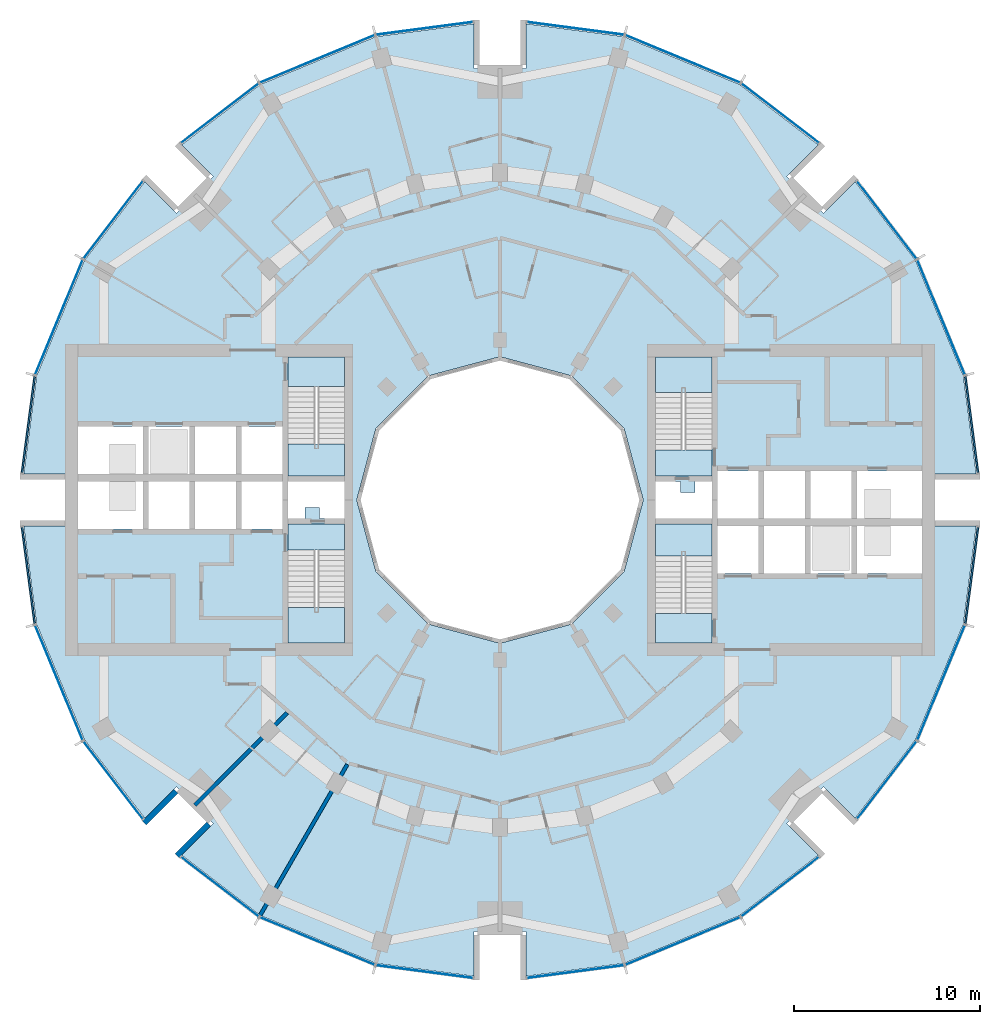
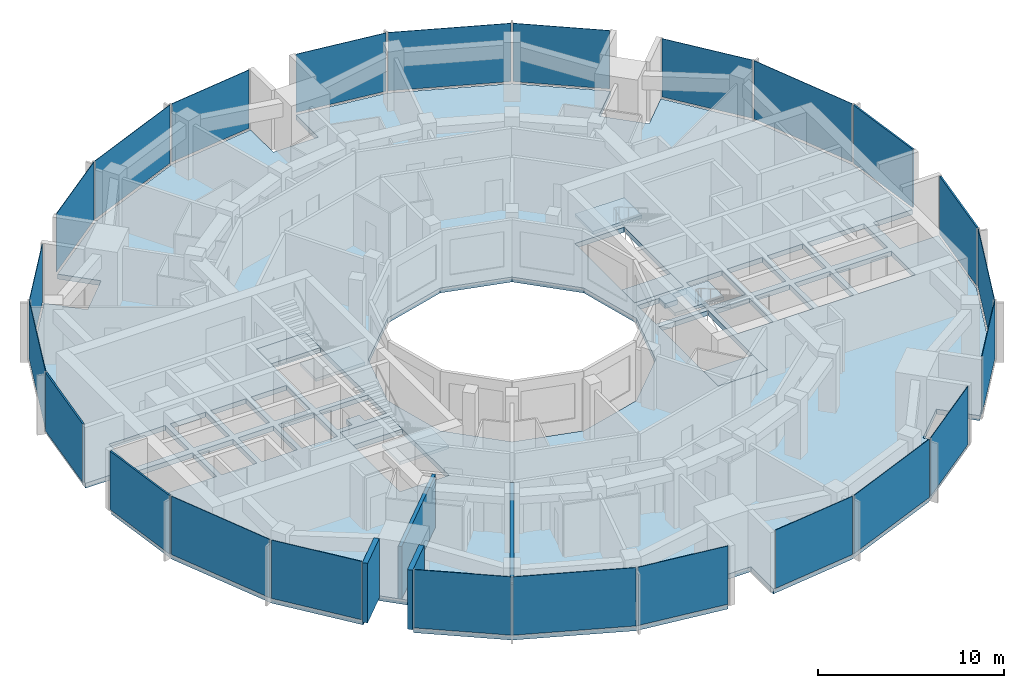
# One storey, part 7 of 15: 24 plates, 9 slabs, 4 walls, 28 elements without a shape of their own.
"""IFC4 building model written with IfcOpenShell, lengths in metres."""

from ifc_helpers import new_model, si_unit, direction, frame, frame_2d, origin, origin_2d, place, context, subcontext, project, spatial, polyline, rectangle, outline, extrude, material, layer, layer_set, type_object, element, aggregate, save


model = new_model("IFC4")

# Units and contexts
model_context = context("Model", 3, precision=1e-05, world=origin(), true_north=direction((0.0, 1.0)))
body_context = subcontext(model_context, "Body", "Model", "MODEL_VIEW")
ifc_project = project(units=[si_unit("LENGTHUNIT", "METRE"), si_unit("AREAUNIT", "SQUARE_METRE"), si_unit("VOLUMEUNIT", "CUBIC_METRE"), si_unit("PLANEANGLEUNIT", "RADIAN"), si_unit("MASSUNIT", "GRAM", prefix="KILO")], contexts=[model_context])

# Site, building, storey
site_placement = place(None, origin())
site = spatial("IfcSite", under=ifc_project, at=site_placement, CompositionType="ELEMENT")
building_placement = place(site_placement, origin())
building = spatial("IfcBuilding", under=site, at=building_placement, Name="Torre Brocal", CompositionType="ELEMENT")
storey_placement = place(building_placement, frame((0.0, 0.0, 138.0)))
storey = spatial("IfcBuildingStorey", under=building, at=storey_placement, Name="L32", CompositionType="ELEMENT", Elevation=138.0)

# Curtain wall, plate
ifc_material_1 = material(Name="Aluminium and glass", Category="aluminium")
ifc_layer_1 = layer(ifc_material_1, 0.199951171875)
ifc_layer_set_1 = layer_set([ifc_layer_1], Name="Aluminium and glass")
curtain_wall_type_1 = type_object("IfcCurtainWallType", Name="CW-1 CURTAIN WALL 3900 HIGH", PredefinedType="NOTDEFINED", material=ifc_layer_set_1)
curtain_wall_1_placement = place(storey_placement, origin())
curtain_wall_1 = element("IfcCurtainWall", 1, at=curtain_wall_1_placement, inside=storey, type_object=curtain_wall_type_1, Name="CW-1 RUN 2", PredefinedType="NOTDEFINED")
ifc_material_2 = material(Name="Glass, dark tinted laminated", Category="glass")
ifc_layer_2 = layer(ifc_material_2, 0.031982421875)
ifc_layer_set_2 = layer_set([ifc_layer_2], Name="Glass, dark tinted laminated")
plate_type_1 = type_object("IfcPlateType", Name="CW-1 GLASS PANEL 32", PredefinedType="CURTAIN_PANEL", material=ifc_layer_set_2)
plate_1_placement = place(storey_placement, frame((103.722900390625, 84.826416015625, 0.080078125), z_axis=(0.0, 0.0, 1.0), x_axis=(-0.382683432333, 0.923879532525, 0.0)))
plate_1 = element("IfcPlate", 2, at=plate_1_placement, type_object=plate_type_1, Name="CW1-3 panel 1.1", PredefinedType="CURTAIN_PANEL", context=body_context, shape_type="SweptSolid", body=[
    extrude(rectangle(XDim=6.64111328125, YDim=0.031982421875, at=origin_2d()), origin(), (0.0, 0.0, 1.0), 3.820068359375),
])
aggregate(curtain_wall_1, [plate_1])

curtain_wall_2_placement = place(storey_placement, origin())
curtain_wall_2 = element("IfcCurtainWall", 3, at=curtain_wall_2_placement, inside=storey, type_object=curtain_wall_type_1, Name="CW-1 RUN 3", PredefinedType="NOTDEFINED")
plate_2_placement = place(storey_placement, frame((100.80126953125, 90.0712890625, 0.080078125), z_axis=(0.0, 0.0, 1.0), x_axis=(-0.60876142905, 0.793353340259, 0.0)))
plate_2 = element("IfcPlate", 4, at=plate_2_placement, type_object=plate_type_1, Name="CW1-3 panel 1.1", PredefinedType="CURTAIN_PANEL", context=body_context, shape_type="SweptSolid", body=[
    extrude(rectangle(XDim=5.22900390625, YDim=0.031982421875, at=origin_2d()), origin(), (0.0, 0.0, 1.0), 3.820068359375),
])
aggregate(curtain_wall_2, [plate_2])

curtain_wall_3_placement = place(storey_placement, origin())
curtain_wall_3 = element("IfcCurtainWall", 5, at=curtain_wall_3_placement, inside=storey, type_object=curtain_wall_type_1, Name="CW-1 RUN 4", PredefinedType="NOTDEFINED")
plate_3_placement = place(storey_placement, frame((95.0712890625, 95.80126953125, 0.080078125), z_axis=(0.0, 0.0, 1.0), x_axis=(-0.793353340259, 0.60876142905, 0.0)))
plate_3 = element("IfcPlate", 6, at=plate_3_placement, type_object=plate_type_1, Name="CW1-3 panel 1.1", PredefinedType="CURTAIN_PANEL", context=body_context, shape_type="SweptSolid", body=[
    extrude(rectangle(XDim=5.22900390625, YDim=0.031982421875, at=origin_2d()), origin(), (0.0, 0.0, 1.0), 3.820068359375),
])
aggregate(curtain_wall_3, [plate_3])

curtain_wall_4_placement = place(storey_placement, origin())
curtain_wall_4 = element("IfcCurtainWall", 7, at=curtain_wall_4_placement, inside=storey, type_object=curtain_wall_type_1, Name="CW-1 RUN 5", PredefinedType="NOTDEFINED")
plate_4_placement = place(storey_placement, frame((89.826416015625, 98.722900390625, 0.080078125), z_axis=(0.0, 0.0, 1.0), x_axis=(-0.923879532525, 0.382683432333, 0.0)))
plate_4 = element("IfcPlate", 8, at=plate_4_placement, type_object=plate_type_1, Name="CW1-3 panel 1.1", PredefinedType="CURTAIN_PANEL", context=body_context, shape_type="SweptSolid", body=[
    extrude(rectangle(XDim=6.64111328125, YDim=0.031982421875, at=origin_2d()), origin(), (0.0, 0.0, 1.0), 3.820068359375),
])
aggregate(curtain_wall_4, [plate_4])

curtain_wall_5_placement = place(storey_placement, origin())
curtain_wall_5 = element("IfcCurtainWall", 9, at=curtain_wall_5_placement, inside=storey, type_object=curtain_wall_type_1, Name="CW-1 RUN 6", PredefinedType="NOTDEFINED")
plate_5_placement = place(storey_placement, frame((84.051513671875, 100.36572265625, 0.080078125), z_axis=(0.0, 0.0, 1.0), x_axis=(-0.991444861374, 0.13052619222, 0.0)))
plate_5 = element("IfcPlate", 10, at=plate_5_placement, type_object=plate_type_1, Name="CW1-3 panel 1.1", PredefinedType="CURTAIN_PANEL", context=body_context, shape_type="SweptSolid", body=[
    extrude(rectangle(XDim=5.22900390625, YDim=0.031982421875, at=origin_2d()), origin(), (0.0, 0.0, 1.0), 3.820068359375),
])
aggregate(curtain_wall_5, [plate_5])

curtain_wall_6_placement = place(storey_placement, origin())
curtain_wall_6 = element("IfcCurtainWall", 11, at=curtain_wall_6_placement, inside=storey, type_object=curtain_wall_type_1, Name="CW-1 RUN 7", PredefinedType="NOTDEFINED")
plate_6_placement = place(storey_placement, frame((75.948486328125, 100.36572265625, 0.080078125), z_axis=(0.0, 0.0, 1.0), x_axis=(-0.991444861374, -0.13052619222, 0.0)))
plate_6 = element("IfcPlate", 12, at=plate_6_placement, type_object=plate_type_1, Name="CW1-3 panel 1.1", PredefinedType="CURTAIN_PANEL", context=body_context, shape_type="SweptSolid", body=[
    extrude(rectangle(XDim=5.22900390625, YDim=0.031982421875, at=origin_2d()), origin(), (0.0, 0.0, 1.0), 3.820068359375),
])
aggregate(curtain_wall_6, [plate_6])

curtain_wall_7_placement = place(storey_placement, origin())
curtain_wall_7 = element("IfcCurtainWall", 13, at=curtain_wall_7_placement, inside=storey, type_object=curtain_wall_type_1, Name="CW-1 RUN 8", PredefinedType="NOTDEFINED")
plate_7_placement = place(storey_placement, frame((70.173583984375, 98.722900390625, 0.080078125), z_axis=(0.0, 0.0, 1.0), x_axis=(-0.923879532525, -0.382683432333, 0.0)))
plate_7 = element("IfcPlate", 14, at=plate_7_placement, type_object=plate_type_1, Name="CW1-3 panel 1.1", PredefinedType="CURTAIN_PANEL", context=body_context, shape_type="SweptSolid", body=[
    extrude(rectangle(XDim=6.64111328125, YDim=0.031982421875, at=origin_2d()), origin(), (0.0, 0.0, 1.0), 3.820068359375),
])
aggregate(curtain_wall_7, [plate_7])

curtain_wall_8_placement = place(storey_placement, origin())
curtain_wall_8 = element("IfcCurtainWall", 15, at=curtain_wall_8_placement, inside=storey, type_object=curtain_wall_type_1, Name="CW-1 RUN 9", PredefinedType="NOTDEFINED")
plate_8_placement = place(storey_placement, frame((64.9287109375, 95.80126953125, 0.080078125), z_axis=(0.0, 0.0, 1.0), x_axis=(-0.793353340259, -0.60876142905, 0.0)))
plate_8 = element("IfcPlate", 16, at=plate_8_placement, type_object=plate_type_1, Name="CW1-3 panel 1.1", PredefinedType="CURTAIN_PANEL", context=body_context, shape_type="SweptSolid", body=[
    extrude(rectangle(XDim=5.22900390625, YDim=0.031982421875, at=origin_2d()), origin(), (0.0, 0.0, 1.0), 3.820068359375),
])
aggregate(curtain_wall_8, [plate_8])

curtain_wall_9_placement = place(storey_placement, origin())
curtain_wall_9 = element("IfcCurtainWall", 17, at=curtain_wall_9_placement, inside=storey, type_object=curtain_wall_type_1, Name="CW-1 RUN 10", PredefinedType="NOTDEFINED")
plate_9_placement = place(storey_placement, frame((59.19873046875, 90.0712890625, 0.080078125), z_axis=(0.0, 0.0, 1.0), x_axis=(-0.60876142905, -0.793353340259, 0.0)))
plate_9 = element("IfcPlate", 18, at=plate_9_placement, type_object=plate_type_1, Name="CW1-3 panel 1.1", PredefinedType="CURTAIN_PANEL", context=body_context, shape_type="SweptSolid", body=[
    extrude(rectangle(XDim=5.22900390625, YDim=0.031982421875, at=origin_2d()), origin(), (0.0, 0.0, 1.0), 3.820068359375),
])
aggregate(curtain_wall_9, [plate_9])

curtain_wall_10_placement = place(storey_placement, origin())
curtain_wall_10 = element("IfcCurtainWall", 19, at=curtain_wall_10_placement, inside=storey, type_object=curtain_wall_type_1, Name="CW-1 RUN 11", PredefinedType="NOTDEFINED")
plate_10_placement = place(storey_placement, frame((56.277099609375, 84.826416015625, 0.080078125), z_axis=(0.0, 0.0, 1.0), x_axis=(-0.382683432333, -0.923879532525, 0.0)))
plate_10 = element("IfcPlate", 20, at=plate_10_placement, type_object=plate_type_1, Name="CW1-3 panel 1.1", PredefinedType="CURTAIN_PANEL", context=body_context, shape_type="SweptSolid", body=[
    extrude(rectangle(XDim=6.64111328125, YDim=0.031982421875, at=origin_2d()), origin(), (0.0, 0.0, 1.0), 3.820068359375),
])
aggregate(curtain_wall_10, [plate_10])

curtain_wall_11_placement = place(storey_placement, origin())
curtain_wall_11 = element("IfcCurtainWall", 21, at=curtain_wall_11_placement, inside=storey, type_object=curtain_wall_type_1, Name="CW-1 RUN 14", PredefinedType="NOTDEFINED")
plate_11_placement = place(storey_placement, frame((56.277099609375, 65.173583984375, 0.080078125), z_axis=(0.0, 0.0, 1.0), x_axis=(0.382683432333, -0.923879532525, 0.0)))
plate_11 = element("IfcPlate", 22, at=plate_11_placement, type_object=plate_type_1, Name="CW1-3 panel 1.1", PredefinedType="CURTAIN_PANEL", context=body_context, shape_type="SweptSolid", body=[
    extrude(rectangle(XDim=6.64111328125, YDim=0.031982421875, at=origin_2d()), origin(), (0.0, 0.0, 1.0), 3.820068359375),
])
aggregate(curtain_wall_11, [plate_11])

curtain_wall_12_placement = place(storey_placement, origin())
curtain_wall_12 = element("IfcCurtainWall", 23, at=curtain_wall_12_placement, inside=storey, type_object=curtain_wall_type_1, Name="CW-1 RUN 15", PredefinedType="NOTDEFINED")
plate_12_placement = place(storey_placement, frame((59.19873046875, 59.9287109375, 0.080078125), z_axis=(0.0, 0.0, 1.0), x_axis=(0.60876142905, -0.793353340259, 0.0)))
plate_12 = element("IfcPlate", 24, at=plate_12_placement, type_object=plate_type_1, Name="CW1-3 panel 1.1", PredefinedType="CURTAIN_PANEL", context=body_context, shape_type="SweptSolid", body=[
    extrude(rectangle(XDim=5.22900390625, YDim=0.031982421875, at=origin_2d()), origin(), (0.0, 0.0, 1.0), 3.820068359375),
])
aggregate(curtain_wall_12, [plate_12])

curtain_wall_13_placement = place(storey_placement, origin())
curtain_wall_13 = element("IfcCurtainWall", 25, at=curtain_wall_13_placement, inside=storey, type_object=curtain_wall_type_1, Name="CW-1 RUN 16", PredefinedType="NOTDEFINED")
plate_13_placement = place(storey_placement, frame((64.9287109375, 54.19873046875, 0.080078125), z_axis=(0.0, 0.0, 1.0), x_axis=(0.793353340259, -0.60876142905, 0.0)))
plate_13 = element("IfcPlate", 26, at=plate_13_placement, type_object=plate_type_1, Name="CW1-3 panel 1.1", PredefinedType="CURTAIN_PANEL", context=body_context, shape_type="SweptSolid", body=[
    extrude(rectangle(XDim=5.22900390625, YDim=0.031982421875, at=origin_2d()), origin(), (0.0, 0.0, 1.0), 3.820068359375),
])
aggregate(curtain_wall_13, [plate_13])

curtain_wall_14_placement = place(storey_placement, origin())
curtain_wall_14 = element("IfcCurtainWall", 27, at=curtain_wall_14_placement, inside=storey, type_object=curtain_wall_type_1, Name="CW-1 RUN 17", PredefinedType="NOTDEFINED")
plate_14_placement = place(storey_placement, frame((70.173583984375, 51.277099609375, 0.080078125), z_axis=(0.0, 0.0, 1.0), x_axis=(0.923879532525, -0.382683432333, 0.0)))
plate_14 = element("IfcPlate", 28, at=plate_14_placement, type_object=plate_type_1, Name="CW1-3 panel 1.1", PredefinedType="CURTAIN_PANEL", context=body_context, shape_type="SweptSolid", body=[
    extrude(rectangle(XDim=6.64111328125, YDim=0.031982421875, at=origin_2d()), origin(), (0.0, 0.0, 1.0), 3.820068359375),
])
aggregate(curtain_wall_14, [plate_14])

curtain_wall_15_placement = place(storey_placement, origin())
curtain_wall_15 = element("IfcCurtainWall", 29, at=curtain_wall_15_placement, inside=storey, type_object=curtain_wall_type_1, Name="CW-1 RUN 18", PredefinedType="NOTDEFINED")
plate_15_placement = place(storey_placement, frame((75.948486328125, 49.63427734375, 0.080078125), z_axis=(0.0, 0.0, 1.0), x_axis=(0.991444861374, -0.13052619222, 0.0)))
plate_15 = element("IfcPlate", 30, at=plate_15_placement, type_object=plate_type_1, Name="CW1-3 panel 1.1", PredefinedType="CURTAIN_PANEL", context=body_context, shape_type="SweptSolid", body=[
    extrude(rectangle(XDim=5.22900390625, YDim=0.031982421875, at=origin_2d()), origin(), (0.0, 0.0, 1.0), 3.820068359375),
])
aggregate(curtain_wall_15, [plate_15])

curtain_wall_16_placement = place(storey_placement, origin())
curtain_wall_16 = element("IfcCurtainWall", 31, at=curtain_wall_16_placement, inside=storey, type_object=curtain_wall_type_1, Name="CW-1 RUN 19", PredefinedType="NOTDEFINED")
plate_16_placement = place(storey_placement, frame((84.051513671875, 49.63427734375, 0.080078125), z_axis=(0.0, 0.0, 1.0), x_axis=(0.991444861374, 0.13052619222, 0.0)))
plate_16 = element("IfcPlate", 32, at=plate_16_placement, type_object=plate_type_1, Name="CW1-3 panel 1.1", PredefinedType="CURTAIN_PANEL", context=body_context, shape_type="SweptSolid", body=[
    extrude(rectangle(XDim=5.22900390625, YDim=0.031982421875, at=origin_2d()), origin(), (0.0, 0.0, 1.0), 3.820068359375),
])
aggregate(curtain_wall_16, [plate_16])

curtain_wall_17_placement = place(storey_placement, origin())
curtain_wall_17 = element("IfcCurtainWall", 33, at=curtain_wall_17_placement, inside=storey, type_object=curtain_wall_type_1, Name="CW-1 RUN 20", PredefinedType="NOTDEFINED")
plate_17_placement = place(storey_placement, frame((89.826416015625, 51.277099609375, 0.080078125), z_axis=(0.0, 0.0, 1.0), x_axis=(0.923879532525, 0.382683432333, 0.0)))
plate_17 = element("IfcPlate", 34, at=plate_17_placement, type_object=plate_type_1, Name="CW1-3 panel 1.1", PredefinedType="CURTAIN_PANEL", context=body_context, shape_type="SweptSolid", body=[
    extrude(rectangle(XDim=6.64111328125, YDim=0.031982421875, at=origin_2d()), origin(), (0.0, 0.0, 1.0), 3.820068359375),
])
aggregate(curtain_wall_17, [plate_17])

curtain_wall_18_placement = place(storey_placement, origin())
curtain_wall_18 = element("IfcCurtainWall", 35, at=curtain_wall_18_placement, inside=storey, type_object=curtain_wall_type_1, Name="CW-1 RUN 21", PredefinedType="NOTDEFINED")
plate_18_placement = place(storey_placement, frame((95.0712890625, 54.19873046875, 0.080078125), z_axis=(0.0, 0.0, 1.0), x_axis=(0.793353340259, 0.60876142905, 0.0)))
plate_18 = element("IfcPlate", 36, at=plate_18_placement, type_object=plate_type_1, Name="CW1-3 panel 1.1", PredefinedType="CURTAIN_PANEL", context=body_context, shape_type="SweptSolid", body=[
    extrude(rectangle(XDim=5.22900390625, YDim=0.031982421875, at=origin_2d()), origin(), (0.0, 0.0, 1.0), 3.820068359375),
])
aggregate(curtain_wall_18, [plate_18])

curtain_wall_19_placement = place(storey_placement, origin())
curtain_wall_19 = element("IfcCurtainWall", 37, at=curtain_wall_19_placement, inside=storey, type_object=curtain_wall_type_1, Name="CW-1 RUN 22", PredefinedType="NOTDEFINED")
plate_19_placement = place(storey_placement, frame((100.80126953125, 59.9287109375, 0.080078125), z_axis=(0.0, 0.0, 1.0), x_axis=(0.60876142905, 0.793353340259, 0.0)))
plate_19 = element("IfcPlate", 38, at=plate_19_placement, type_object=plate_type_1, Name="CW1-3 panel 1.1", PredefinedType="CURTAIN_PANEL", context=body_context, shape_type="SweptSolid", body=[
    extrude(rectangle(XDim=5.22900390625, YDim=0.031982421875, at=origin_2d()), origin(), (0.0, 0.0, 1.0), 3.820068359375),
])
aggregate(curtain_wall_19, [plate_19])

curtain_wall_20_placement = place(storey_placement, origin())
curtain_wall_20 = element("IfcCurtainWall", 39, at=curtain_wall_20_placement, inside=storey, type_object=curtain_wall_type_1, Name="CW-1 RUN 23", PredefinedType="NOTDEFINED")
plate_20_placement = place(storey_placement, frame((103.722900390625, 65.173583984375, 0.080078125), z_axis=(0.0, 0.0, 1.0), x_axis=(0.382683432333, 0.923879532525, 0.0)))
plate_20 = element("IfcPlate", 40, at=plate_20_placement, type_object=plate_type_1, Name="CW1-3 panel 1.1", PredefinedType="CURTAIN_PANEL", context=body_context, shape_type="SweptSolid", body=[
    extrude(rectangle(XDim=6.64111328125, YDim=0.031982421875, at=origin_2d()), origin(), (0.0, 0.0, 1.0), 3.820068359375),
])
aggregate(curtain_wall_20, [plate_20])

ifc_material_3 = material(Name="Aluminium and glass", Category="aluminium")
ifc_layer_3 = layer(ifc_material_3, 0.199951171875)
ifc_layer_set_3 = layer_set([ifc_layer_3], Name="Aluminium and glass")
curtain_wall_type_2 = type_object("IfcCurtainWallType", Name="CW-1B CURTAIN WALL 3900 HIGH", PredefinedType="NOTDEFINED", material=ifc_layer_set_3)
curtain_wall_21_placement = place(storey_placement, origin())
curtain_wall_21 = element("IfcCurtainWall", 41, at=curtain_wall_21_placement, inside=storey, type_object=curtain_wall_type_2, Name="CW-1B RUN 1", PredefinedType="NOTDEFINED")
ifc_material_4 = material(Name="Aluminium composite panel", Category="aluminium")
ifc_layer_4 = layer(ifc_material_4, 0.10009765625)
ifc_layer_set_4 = layer_set([ifc_layer_4], Name="Aluminium composite panel")
plate_type_2 = type_object("IfcPlateType", Name="CW-1B OPAQUE PANEL 100", PredefinedType="CURTAIN_PANEL", material=ifc_layer_set_4)
plate_21_placement = place(storey_placement, frame((105.36572265625, 79.051513671875, 0.080078125), z_axis=(0.0, 0.0, 1.0), x_axis=(-0.13052619222, 0.991444861374, 0.0)))
plate_21 = element("IfcPlate", 42, at=plate_21_placement, type_object=plate_type_2, Name="CW1B-3 panel 1.1", PredefinedType="CURTAIN_PANEL", context=body_context, shape_type="SweptSolid", body=[
    extrude(rectangle(XDim=5.22900390625, YDim=0.10009765625, at=origin_2d()), origin(), (0.0, 0.0, 1.0), 3.820068359375),
])
aggregate(curtain_wall_21, [plate_21])

curtain_wall_22_placement = place(storey_placement, origin())
curtain_wall_22 = element("IfcCurtainWall", 43, at=curtain_wall_22_placement, inside=storey, type_object=curtain_wall_type_2, Name="CW-1B RUN 12", PredefinedType="NOTDEFINED")
plate_22_placement = place(storey_placement, frame((54.63427734375, 79.051513671875, 0.080078125), z_axis=(0.0, 0.0, 1.0), x_axis=(-0.13052619222, -0.991444861374, 0.0)))
plate_22 = element("IfcPlate", 44, at=plate_22_placement, type_object=plate_type_2, Name="CW1B-3 panel 1.1", PredefinedType="CURTAIN_PANEL", context=body_context, shape_type="SweptSolid", body=[
    extrude(rectangle(XDim=5.22900390625, YDim=0.10009765625, at=origin_2d()), origin(), (0.0, 0.0, 1.0), 3.820068359375),
])
aggregate(curtain_wall_22, [plate_22])

curtain_wall_23_placement = place(storey_placement, origin())
curtain_wall_23 = element("IfcCurtainWall", 45, at=curtain_wall_23_placement, inside=storey, type_object=curtain_wall_type_2, Name="CW-1B RUN 13", PredefinedType="NOTDEFINED")
plate_23_placement = place(storey_placement, frame((54.63427734375, 70.948486328125, 0.080078125), z_axis=(0.0, 0.0, 1.0), x_axis=(0.13052619222, -0.991444861374, 0.0)))
plate_23 = element("IfcPlate", 46, at=plate_23_placement, type_object=plate_type_2, Name="CW1B-3 panel 1.1", PredefinedType="CURTAIN_PANEL", context=body_context, shape_type="SweptSolid", body=[
    extrude(rectangle(XDim=5.22900390625, YDim=0.10009765625, at=origin_2d()), origin(), (0.0, 0.0, 1.0), 3.820068359375),
])
aggregate(curtain_wall_23, [plate_23])

curtain_wall_24_placement = place(storey_placement, origin())
curtain_wall_24 = element("IfcCurtainWall", 47, at=curtain_wall_24_placement, inside=storey, type_object=curtain_wall_type_2, Name="CW-1B RUN 24", PredefinedType="NOTDEFINED")
plate_24_placement = place(storey_placement, frame((105.36572265625, 70.948486328125, 0.080078125), z_axis=(0.0, 0.0, 1.0), x_axis=(0.13052619222, 0.991444861374, 0.0)))
plate_24 = element("IfcPlate", 48, at=plate_24_placement, type_object=plate_type_2, Name="CW1B-3 panel 1.1", PredefinedType="CURTAIN_PANEL", context=body_context, shape_type="SweptSolid", body=[
    extrude(rectangle(XDim=5.22900390625, YDim=0.10009765625, at=origin_2d()), origin(), (0.0, 0.0, 1.0), 3.820068359375),
])
aggregate(curtain_wall_24, [plate_24])

# Stair, slab
ifc_material_5 = material(Name="Concrete C50", Category="concrete")
stair_type = type_object("IfcStairType", Name="EXIT STAIR", PredefinedType="HALF_TURN_STAIR", material=ifc_material_5)
stair_1_placement = place(storey_placement, origin())
stair_1 = element("IfcStair", 49, at=stair_1_placement, inside=storey, type_object=stair_type, Name="EXIT STAIR ST1", PredefinedType="HALF_TURN_STAIR")
ifc_material_6 = material(Name="Concrete C50", Category="concrete")
ifc_layer_5 = layer(ifc_material_6, 0.320068359375)
ifc_layer_set_5 = layer_set([ifc_layer_5], Name="Concrete C50")
slab_type_1 = type_object("IfcSlabType", Name="FLOOR LANDING 320", PredefinedType="LANDING", material=ifc_layer_set_5)
slab_1_placement = place(storey_placement, frame((0.0, 0.0, -0.320068359375)))
slab_1 = element("IfcSlab", 50, at=slab_1_placement, type_object=slab_type_1, Name="ST1 landing 1", PredefinedType="LANDING", context=body_context, shape_type="SweptSolid", body=[
    extrude(outline(polyline([(88.35009765625, 76.300048828125), (91.39990234375, 76.300048828125), (91.39990234375, 77.699951171875), (88.35009765625, 77.699951171875), (88.35009765625, 76.300048828125)])), origin(), (0.0, 0.0, 1.0), 0.320068359375),
])

stair_2_placement = place(storey_placement, origin())
stair_2 = element("IfcStair", 51, at=stair_2_placement, inside=storey, type_object=stair_type, Name="EXIT STAIR ST2", PredefinedType="HALF_TURN_STAIR")
slab_2_placement = place(storey_placement, frame((0.0, 0.0, -0.320068359375)))
slab_2 = element("IfcSlab", 52, at=slab_2_placement, type_object=slab_type_1, Name="ST2 landing 1", PredefinedType="LANDING", context=body_context, shape_type="SweptSolid", body=[
    extrude(outline(polyline([(88.35009765625, 67.300048828125), (91.39990234375, 67.300048828125), (91.39990234375, 68.89990234375), (88.35009765625, 68.89990234375), (88.35009765625, 67.300048828125)])), origin(), (0.0, 0.0, 1.0), 0.320068359375),
])

stair_3_placement = place(storey_placement, origin())
stair_3 = element("IfcStair", 53, at=stair_3_placement, inside=storey, type_object=stair_type, Name="EXIT STAIR ST3", PredefinedType="HALF_TURN_STAIR")
slab_3_placement = place(storey_placement, frame((0.0, 0.0, -0.320068359375)))
slab_3 = element("IfcSlab", 54, at=slab_3_placement, type_object=slab_type_1, Name="ST3 landing 1", PredefinedType="LANDING", context=body_context, shape_type="SweptSolid", body=[
    extrude(outline(polyline([(71.64990234375, 73.699951171875), (68.60009765625, 73.699951171875), (68.60009765625, 72.300048828125), (71.64990234375, 72.300048828125), (71.64990234375, 73.699951171875)])), origin(), (0.0, 0.0, 1.0), 0.320068359375),
])

stair_4_placement = place(storey_placement, origin())
stair_4 = element("IfcStair", 55, at=stair_4_placement, inside=storey, type_object=stair_type, Name="EXIT STAIR ST4", PredefinedType="HALF_TURN_STAIR")
slab_4_placement = place(storey_placement, frame((0.0, 0.0, -0.320068359375)))
slab_4 = element("IfcSlab", 56, at=slab_4_placement, type_object=slab_type_1, Name="ST4 landing 1", PredefinedType="LANDING", context=body_context, shape_type="SweptSolid", body=[
    extrude(outline(polyline([(71.64990234375, 82.699951171875), (68.60009765625, 82.699951171875), (68.60009765625, 81.10009765625), (71.64990234375, 81.10009765625), (71.64990234375, 82.699951171875)])), origin(), (0.0, 0.0, 1.0), 0.320068359375),
])

# Slab
ifc_material_7 = material(Name="Concrete C50", Category="concrete")
ifc_layer_6 = layer(ifc_material_7, 0.199951171875)
ifc_layer_set_6 = layer_set([ifc_layer_6], Name="Concrete C50")
slab_type_2 = type_object("IfcSlabType", Name="MID LANDING +1950", PredefinedType="LANDING", material=ifc_layer_set_6)
slab_5_placement = place(storey_placement, frame((0.0, 0.0, 1.75)))
slab_5 = element("IfcSlab", 57, at=slab_5_placement, type_object=slab_type_2, Name="ST1 landing 2", PredefinedType="LANDING", context=body_context, shape_type="SweptSolid", body=[
    extrude(outline(polyline([(88.35009765625, 80.780029296875), (91.39990234375, 80.780029296875), (91.39990234375, 82.699951171875), (88.35009765625, 82.699951171875), (88.35009765625, 80.780029296875)])), origin(), (0.0, 0.0, 1.0), 0.199951171875),
])

aggregate(stair_1, [slab_1, slab_5])

slab_6_placement = place(storey_placement, frame((0.0, 0.0, 1.75)))
slab_6 = element("IfcSlab", 58, at=slab_6_placement, type_object=slab_type_2, Name="ST2 landing 2", PredefinedType="LANDING", context=body_context, shape_type="SweptSolid", body=[
    extrude(outline(polyline([(88.35009765625, 71.97998046875), (91.39990234375, 71.97998046875), (91.39990234375, 73.699951171875), (88.35009765625, 73.699951171875), (88.35009765625, 71.97998046875)])), origin(), (0.0, 0.0, 1.0), 0.199951171875),
])

aggregate(stair_2, [slab_2, slab_6])

slab_7_placement = place(storey_placement, frame((0.0, 0.0, 1.75)))
slab_7 = element("IfcSlab", 59, at=slab_7_placement, type_object=slab_type_2, Name="ST3 landing 2", PredefinedType="LANDING", context=body_context, shape_type="SweptSolid", body=[
    extrude(outline(polyline([(71.64990234375, 69.219970703125), (68.60009765625, 69.219970703125), (68.60009765625, 67.300048828125), (71.64990234375, 67.300048828125), (71.64990234375, 69.219970703125)])), origin(), (0.0, 0.0, 1.0), 0.199951171875),
])

aggregate(stair_3, [slab_3, slab_7])

slab_8_placement = place(storey_placement, frame((0.0, 0.0, 1.75)))
slab_8 = element("IfcSlab", 60, at=slab_8_placement, type_object=slab_type_2, Name="ST4 landing 2", PredefinedType="LANDING", context=body_context, shape_type="SweptSolid", body=[
    extrude(outline(polyline([(71.64990234375, 78.02001953125), (68.60009765625, 78.02001953125), (68.60009765625, 76.300048828125), (71.64990234375, 76.300048828125), (71.64990234375, 78.02001953125)])), origin(), (0.0, 0.0, 1.0), 0.199951171875),
])

aggregate(stair_4, [slab_4, slab_8])

ifc_material_8 = material(Name="Concrete C45", Category="concrete")
ifc_layer_7 = layer(ifc_material_8, 0.320068359375)
ifc_layer_set_7 = layer_set([ifc_layer_7], Name="Concrete C45")
slab_type_3 = type_object("IfcSlabType", Name="PT FLOOR SLAB 320 C45", PredefinedType="FLOOR", material=ifc_layer_set_7)
slab_9_placement = place(storey_placement, frame((0.0, 0.0, -0.320068359375)))
element("IfcSlab", 61, at=slab_9_placement, inside=storey, type_object=slab_type_3, Name="Slab ST-05", PredefinedType="FLOOR", context=body_context, shape_type="SweptSolid", body=[
    extrude(outline(polyline([(103.199951171875, 76.39990234375), (103.199951171875, 73.60009765625), (105.614013671875, 73.60009765625), (104.919189453125, 68.322998046875), (102.342041015625, 62.100830078125), (99.101806640625, 57.878173828125), (97.394775390625, 59.5849609375), (95.4150390625, 57.605224609375), (97.121826171875, 55.898193359375), (92.899169921875, 52.657958984375), (86.677001953125, 50.080810546875), (81.39990234375, 49.385986328125), (81.39990234375, 51.800048828125), (78.60009765625, 51.800048828125), (78.60009765625, 49.385986328125), (73.322998046875, 50.080810546875), (67.100830078125, 52.657958984375), (62.878173828125, 55.898193359375), (64.5849609375, 57.605224609375), (62.605224609375, 59.5849609375), (60.898193359375, 57.878173828125), (57.657958984375, 62.100830078125), (55.080810546875, 68.322998046875), (54.385986328125, 73.60009765625), (56.800048828125, 73.60009765625), (56.800048828125, 76.39990234375), (54.385986328125, 76.39990234375), (55.080810546875, 81.677001953125), (57.657958984375, 87.899169921875), (60.898193359375, 92.121826171875), (62.605224609375, 90.4150390625), (64.5849609375, 92.394775390625), (62.878173828125, 94.101806640625), (67.100830078125, 97.342041015625), (73.322998046875, 99.919189453125), (78.60009765625, 100.614013671875), (78.60009765625, 98.199951171875), (81.39990234375, 98.199951171875), (81.39990234375, 100.614013671875), (86.677001953125, 99.919189453125), (92.899169921875, 97.342041015625), (97.121826171875, 94.101806640625), (95.4150390625, 92.394775390625), (97.394775390625, 90.4150390625), (99.101806640625, 92.121826171875), (102.342041015625, 87.899169921875), (104.919189453125, 81.677001953125), (105.614013671875, 76.39990234375), (103.199951171875, 76.39990234375)]), holes=[polyline([(102.699951171875, 74.0), (102.699951171875, 76.550048828125), (99.199951171875, 76.550048828125), (99.199951171875, 74.0), (102.699951171875, 74.0)]), polyline([(102.699951171875, 71.050048828125), (102.699951171875, 73.60009765625), (99.199951171875, 73.60009765625), (99.199951171875, 71.050048828125), (102.699951171875, 71.050048828125)]), polyline([(98.89990234375, 76.550048828125), (96.699951171875, 76.550048828125), (96.699951171875, 74.0), (98.89990234375, 74.0), (98.89990234375, 76.550048828125)]), polyline([(98.89990234375, 71.050048828125), (98.89990234375, 73.60009765625), (96.699951171875, 73.60009765625), (96.699951171875, 71.050048828125), (98.89990234375, 71.050048828125)]), polyline([(96.39990234375, 73.60009765625), (94.199951171875, 73.60009765625), (94.199951171875, 71.050048828125), (96.39990234375, 71.050048828125), (96.39990234375, 73.60009765625)]), polyline([(96.39990234375, 74.0), (96.39990234375, 76.550048828125), (94.199951171875, 76.550048828125), (94.199951171875, 74.0), (96.39990234375, 74.0)]), polyline([(93.89990234375, 73.60009765625), (91.699951171875, 73.60009765625), (91.699951171875, 71.050048828125), (93.89990234375, 71.050048828125), (93.89990234375, 73.60009765625)]), polyline([(93.89990234375, 74.0), (93.89990234375, 76.550048828125), (91.699951171875, 76.550048828125), (91.699951171875, 74.0), (93.89990234375, 74.0)]), polyline([(91.39990234375, 76.300048828125), (91.39990234375, 82.699951171875), (88.35009765625, 82.699951171875), (88.35009765625, 76.300048828125), (91.39990234375, 76.300048828125)]), polyline([(91.39990234375, 73.699951171875), (88.35009765625, 73.699951171875), (88.35009765625, 67.300048828125), (91.39990234375, 67.300048828125), (91.39990234375, 73.699951171875)]), polyline([(89.699951171875, 76.0), (88.35009765625, 76.0), (88.35009765625, 74.0), (91.39990234375, 74.0), (91.39990234375, 76.0), (90.5, 76.0), (90.5, 75.39990234375), (89.699951171875, 75.39990234375), (89.699951171875, 76.0)]), polyline([(80.0, 82.70703125), (76.146484375, 81.674560546875), (73.325439453125, 78.853515625), (72.29296875, 75.0), (73.325439453125, 71.146484375), (76.146484375, 68.325439453125), (80.0, 67.29296875), (83.853515625, 68.325439453125), (86.674560546875, 71.146484375), (87.70703125, 75.0), (86.674560546875, 78.853515625), (83.853515625, 81.674560546875), (80.0, 82.70703125)]), polyline([(68.60009765625, 82.699951171875), (68.60009765625, 76.300048828125), (71.64990234375, 76.300048828125), (71.64990234375, 82.699951171875), (68.60009765625, 82.699951171875)]), polyline([(70.300048828125, 74.0), (71.64990234375, 74.0), (71.64990234375, 76.0), (68.60009765625, 76.0), (68.60009765625, 74.0), (69.5, 74.0), (69.5, 74.60009765625), (70.300048828125, 74.60009765625), (70.300048828125, 74.0)]), polyline([(68.60009765625, 67.300048828125), (71.64990234375, 67.300048828125), (71.64990234375, 73.699951171875), (68.60009765625, 73.699951171875), (68.60009765625, 67.300048828125)]), polyline([(66.10009765625, 78.949951171875), (66.10009765625, 76.39990234375), (68.300048828125, 76.39990234375), (68.300048828125, 78.949951171875), (66.10009765625, 78.949951171875)]), polyline([(66.10009765625, 76.0), (66.10009765625, 73.449951171875), (68.300048828125, 73.449951171875), (68.300048828125, 76.0), (66.10009765625, 76.0)]), polyline([(63.60009765625, 76.0), (63.60009765625, 73.449951171875), (65.800048828125, 73.449951171875), (65.800048828125, 76.0), (63.60009765625, 76.0)]), polyline([(63.60009765625, 76.39990234375), (65.800048828125, 76.39990234375), (65.800048828125, 78.949951171875), (63.60009765625, 78.949951171875), (63.60009765625, 76.39990234375)]), polyline([(61.10009765625, 78.949951171875), (61.10009765625, 76.39990234375), (63.300048828125, 76.39990234375), (63.300048828125, 78.949951171875), (61.10009765625, 78.949951171875)]), polyline([(61.10009765625, 73.449951171875), (63.300048828125, 73.449951171875), (63.300048828125, 76.0), (61.10009765625, 76.0), (61.10009765625, 73.449951171875)]), polyline([(57.300048828125, 73.449951171875), (60.800048828125, 73.449951171875), (60.800048828125, 76.0), (57.300048828125, 76.0), (57.300048828125, 73.449951171875)]), polyline([(57.300048828125, 78.949951171875), (57.300048828125, 76.39990234375), (60.800048828125, 76.39990234375), (60.800048828125, 78.949951171875), (57.300048828125, 78.949951171875)])]), origin(), (0.0, 0.0, 1.0), 0.320068359375),
])

# Walls
ifc_material_9 = material(Name="Concrete C70", Category="concrete")
ifc_layer_8 = layer(ifc_material_9, 0.300048828125)
ifc_layer_set_8 = layer_set([ifc_layer_8], Name="Concrete C70")
wall_type_1 = type_object("IfcWallType", Name="NOTCH RETURN WALL 300 C70", PredefinedType="NOTDEFINED", material=ifc_layer_set_8)
for number, where, z_axis, x_axis, name in (
    (62, (62.56982421875, 59.337646484375, 0.0), (0.0, 0.0, 1.0), (-0.707106781187, -0.707106781187, 0.0), "NOTCH RETURN WALL"),
    (63, (64.337646484375, 57.56982421875, 0.0), (0.0, 0.0, 1.0), (-0.707106781187, -0.707106781187, 0.0), "NOTCH RETURN WALL"),
):
    element("IfcWall", number, at=place(storey_placement, frame(where, z_axis=z_axis, x_axis=x_axis)), inside=storey, type_object=wall_type_1, Name=name, PredefinedType="NOTDEFINED", context=body_context, shape_type="SweptSolid", body=[
        extrude(rectangle(XDim=2.415771484375, YDim=0.300048828125, at=frame_2d((1.2080078125, 0.0))), origin(), (0.0, 0.0, 1.0), 3.89990234375),
    ])
ifc_material_10 = material(Name="Gypsum board", Category="Gypsum")
ifc_layer_9 = layer(ifc_material_10, 0.199951171875)
ifc_layer_set_9 = layer_set([ifc_layer_9], Name="Gypsum board")
wall_type_2 = type_object("IfcWallType", Name="PARTITION 200 EI60", PredefinedType="PARTITIONING", material=ifc_layer_set_9)
wall_1_placement = place(storey_placement, frame((63.5927734375, 58.5986328125, 0.0), z_axis=(0.0, 0.0, 1.0), x_axis=(0.707228748718, 0.706984792613, 0.0)))
element("IfcWall", 64, at=wall_1_placement, inside=storey, type_object=wall_type_2, Name="BATHROOM WALL", PredefinedType="PARTITIONING", context=body_context, shape_type="SweptSolid", body=[
    extrude(rectangle(XDim=7.00537109375, YDim=0.199951171875, at=frame_2d((3.502685546875, 0.0))), origin(), (0.0, 0.0, 1.0), 3.449951171875),
])
wall_2_placement = place(storey_placement, frame((67.097412109375, 52.66064453125, 0.0), z_axis=(0.0, 0.0, 1.0), x_axis=(0.500236379769, 0.865888886841, 0.0)))
element("IfcWall", 65, at=wall_2_placement, inside=storey, type_object=wall_type_2, Name="PARTY PARTITION", PredefinedType="PARTITIONING", context=body_context, shape_type="SweptSolid", body=[
    extrude(rectangle(XDim=9.375, YDim=0.199951171875, at=frame_2d((4.6875, 0.0))), origin(), (0.0, 0.0, 1.0), 3.449951171875),
])

save(model, "model.ifc")
